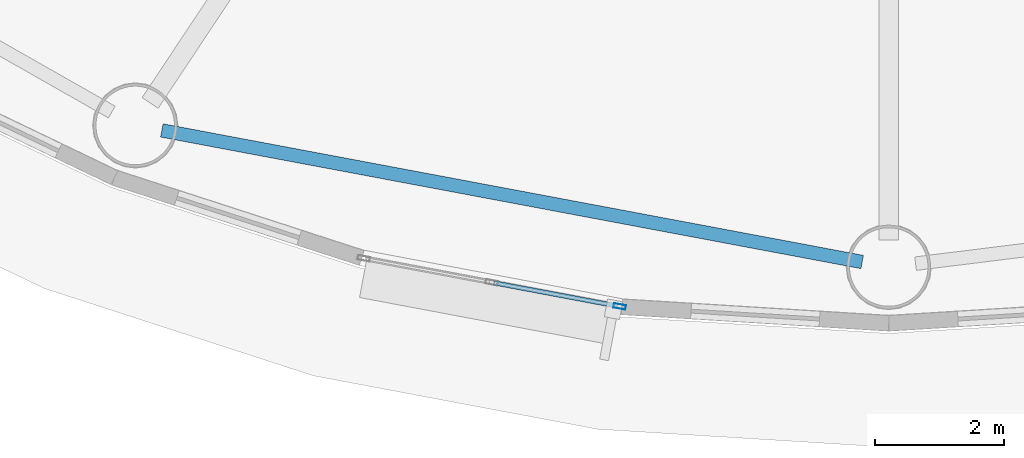
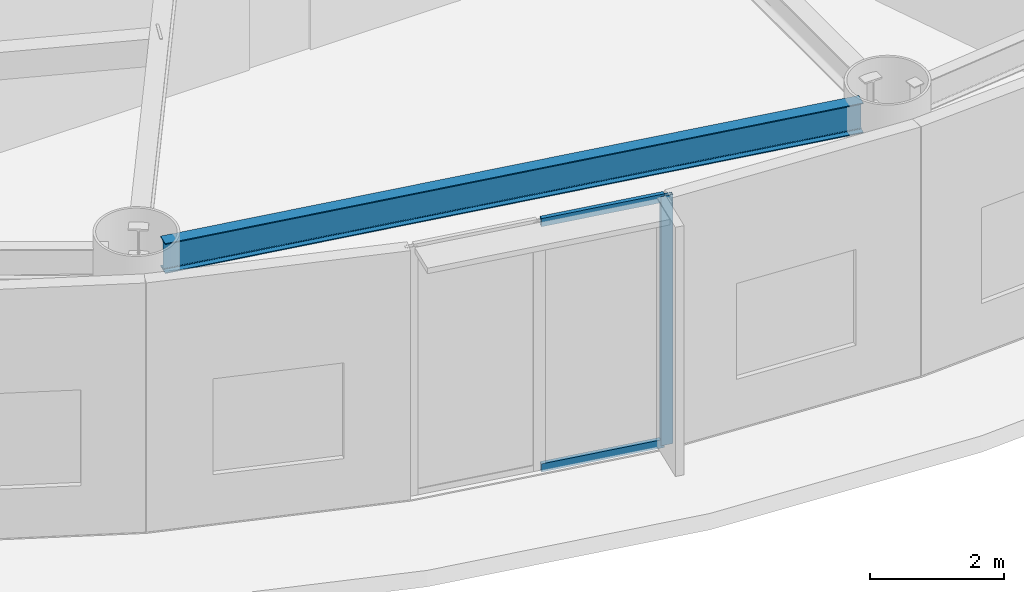
# One storey, part 6 of 38: 3 members, 1 beam, 1 element without a shape of its own.
"""IFC4 building model written with IfcOpenShell, lengths in metres."""

from ifc_helpers import new_model, si_unit, direction, frame, origin, origin_2d, place, context, subcontext, project, spatial, hollow_rectangle, i_section, extrude, source, transform, mapped, material, layer, layer_set, material_profile, profile_set, type_object, element, aggregate, save


model = new_model("IFC4")

# Units and contexts
model_context = context("Model", 3, precision=1e-05, world=origin(), true_north=direction((0.0, 1.0)))
body_context = subcontext(model_context, "Body", "Model", "MODEL_VIEW")
ifc_project = project(units=[si_unit("LENGTHUNIT", "METRE"), si_unit("AREAUNIT", "SQUARE_METRE"), si_unit("VOLUMEUNIT", "CUBIC_METRE"), si_unit("PLANEANGLEUNIT", "RADIAN"), si_unit("MASSUNIT", "GRAM", prefix="KILO")], contexts=[model_context])

# Site, building, storey
site_placement = place(None, origin())
site = spatial("IfcSite", under=ifc_project, at=site_placement, CompositionType="ELEMENT")
building_placement = place(site_placement, origin())
building = spatial("IfcBuilding", under=site, at=building_placement, Name="Linh Dai School and Residence Tower", CompositionType="ELEMENT")
storey_placement = place(building_placement, frame((0.0, 0.0, 151.35009765625)))
storey = spatial("IfcBuildingStorey", under=building, at=storey_placement, Name="L36", CompositionType="ELEMENT", Elevation=151.35009765625)

# Beam
ifc_material_1 = material(Name="Structural Steel S355JR", Category="steel")
ifc_material_profile_1 = material_profile(ifc_material_1, i_section(OverallWidth=0.2099609375, OverallDepth=0.550048828125, WebThickness=0.010986328125, FlangeThickness=0.01708984375, FilletRadius=0.02392578125, at=origin_2d()), Name="IPE 550")
ifc_profile_set_1 = profile_set([ifc_material_profile_1], Name="Structural Steel S355JR")
beam_type = type_object("IfcBeamType", Name="BM-RB55", PredefinedType="BEAM", material=ifc_profile_set_1)
beam_placement = place(storey_placement, frame((24.707275390625, 9.29150390625, 4.27490234375), z_axis=(0.98280721278, -0.184634727255, 0.0), x_axis=(0.184634727255, 0.98280721278, 0.0)))
element("IfcBeam", 1, at=beam_placement, inside=storey, type_object=beam_type, Name="L36 Perimeter Elliptical Ring Beam 12", PredefinedType="BEAM", context=body_context, shape_type="SweptSolid", body=[
    extrude(i_section(OverallWidth=0.2099609375, OverallDepth=0.550048828125, WebThickness=0.010986328125, FlangeThickness=0.01708984375, FilletRadius=0.02392578125, at=origin_2d()), origin(), (0.0, 0.0, 1.0), 11.0703125),
])

# Curtain wall, members
ifc_material_2 = material(Name="Aluminium Anodised Curtain Wall", Category="aluminium")
ifc_layer = layer(ifc_material_2, 0.18994140625)
ifc_layer_set = layer_set([ifc_layer], Name="Aluminium Anodised Curtain Wall")
curtain_wall_type = type_object("IfcCurtainWallType", Name="CW-SYS-5", PredefinedType="USERDEFINED", material=ifc_layer_set)
curtain_wall_placement = place(storey_placement, origin())
curtain_wall = element("IfcCurtainWall", 2, at=curtain_wall_placement, inside=storey, type_object=curtain_wall_type, Name="L36 CW5 Curtain Wall 29", ObjectType="UNITISED CURTAIN WALL", PredefinedType="USERDEFINED")
ifc_material_3 = material(Name="Aluminium Alloy 6063-T6", Category="aluminium")
ifc_material_profile_2 = material_profile(ifc_material_3, hollow_rectangle(XDim=0.070068359375, YDim=0.18994140625, WallThickness=0.00390625, at=origin_2d()), Name="RHS 190x70x4")
ifc_profile_set_2 = profile_set([ifc_material_profile_2], Name="Aluminium Alloy 6063-T6")
member_type_1 = type_object("IfcMemberType", Name="CW-SYS-5-MUL", PredefinedType="MULLION", material=ifc_profile_set_2)
shared_shape_1 = source(origin(), body_context, "Body", "SweptSolid", [
    extrude(hollow_rectangle(XDim=0.070068359375, YDim=0.18994140625, WallThickness=0.00390625, at=origin_2d()), origin(), (0.0, 0.0, 1.0), 4.5498046875),
])
member_1_placement = place(storey_placement, frame((31.81982421875, 6.556884765625, 0.0), z_axis=(0.0, 0.0, 1.0), x_axis=(-0.184762540184, -0.982783192645, 0.0)))
member_1 = element("IfcMember", 3, at=member_1_placement, type_object=member_type_1, Name="CW5 mullion 1", PredefinedType="MULLION", context=body_context, shape_type="MappedRepresentation", body=[
    mapped(shared_shape_1, transform((0.0, 0.0, 0.0), x_axis=(1.0, 0.0, 0.0), y_axis=(0.0, 1.0, 0.0), z_axis=(0.0, 0.0, 1.0), scale=1.0)),
])
ifc_material_profile_3 = material_profile(ifc_material_3, hollow_rectangle(XDim=0.070068359375, YDim=0.14990234375, WallThickness=0.00390625, at=origin_2d()), Name="RHS 150x70x4")
ifc_profile_set_3 = profile_set([ifc_material_profile_3], Name="Aluminium Alloy 6063-T6")
member_type_2 = type_object("IfcMemberType", Name="CW-SYS-5-TRN", PredefinedType="USERDEFINED", material=ifc_profile_set_3)
shared_shape_2 = source(origin(), body_context, "Body", "SweptSolid", [
    extrude(hollow_rectangle(XDim=0.070068359375, YDim=0.14990234375, WallThickness=0.00390625, at=origin_2d()), origin(), (0.0, 0.0, 1.0), 1.9521484375),
])
member_2_placement = place(storey_placement, frame((31.785400390625, 6.5634765625, 0.034912109375), z_axis=(-0.98278996876, 0.184726493237, 0.0), x_axis=(-0.184726493237, -0.98278996876, 0.0)))
member_2 = element("IfcMember", 4, at=member_2_placement, type_object=member_type_2, Name="CW5 transom 1.1", ObjectType="TRANSOM", PredefinedType="USERDEFINED", context=body_context, shape_type="MappedRepresentation", body=[
    mapped(shared_shape_2, transform((0.0, 0.0, 0.0), x_axis=(1.0, 0.0, 0.0), y_axis=(0.0, 1.0, 0.0), z_axis=(0.0, 0.0, 1.0), scale=1.0)),
])
member_3_placement = place(storey_placement, frame((31.785400390625, 6.5634765625, 4.514892578125), z_axis=(-0.98278996876, 0.184726493237, 0.0), x_axis=(-0.184726493237, -0.98278996876, 0.0)))
member_3 = element("IfcMember", 5, at=member_3_placement, type_object=member_type_2, Name="CW5 transom 1.2", ObjectType="TRANSOM", PredefinedType="USERDEFINED", context=body_context, shape_type="MappedRepresentation", body=[
    mapped(shared_shape_2, transform((0.0, 0.0, 0.0), x_axis=(1.0, 0.0, 0.0), y_axis=(0.0, 1.0, 0.0), z_axis=(0.0, 0.0, 1.0), scale=1.0)),
])
aggregate(curtain_wall, [member_1, member_2, member_3])

save(model, "model.ifc")
